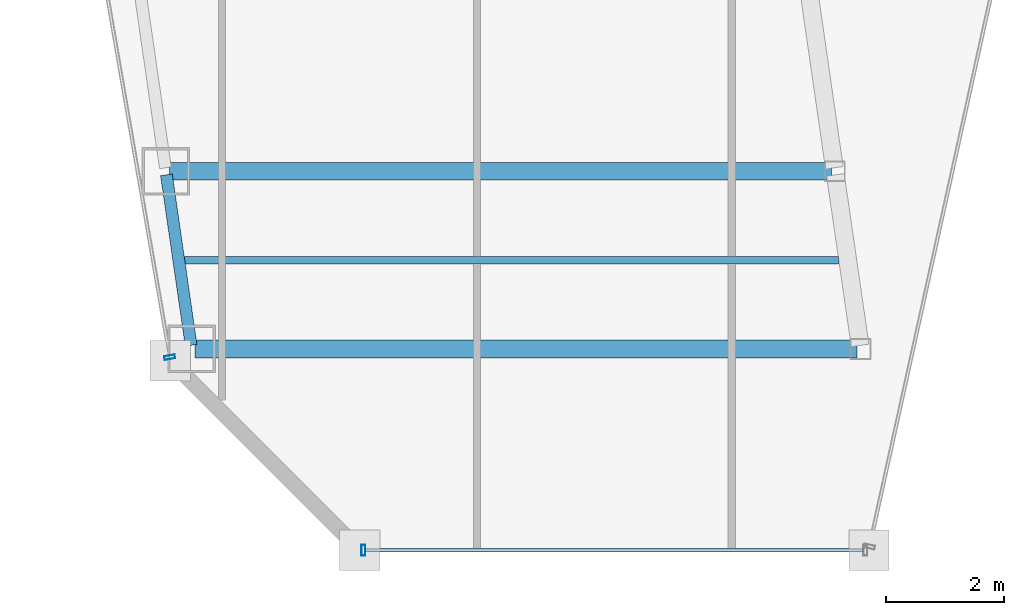
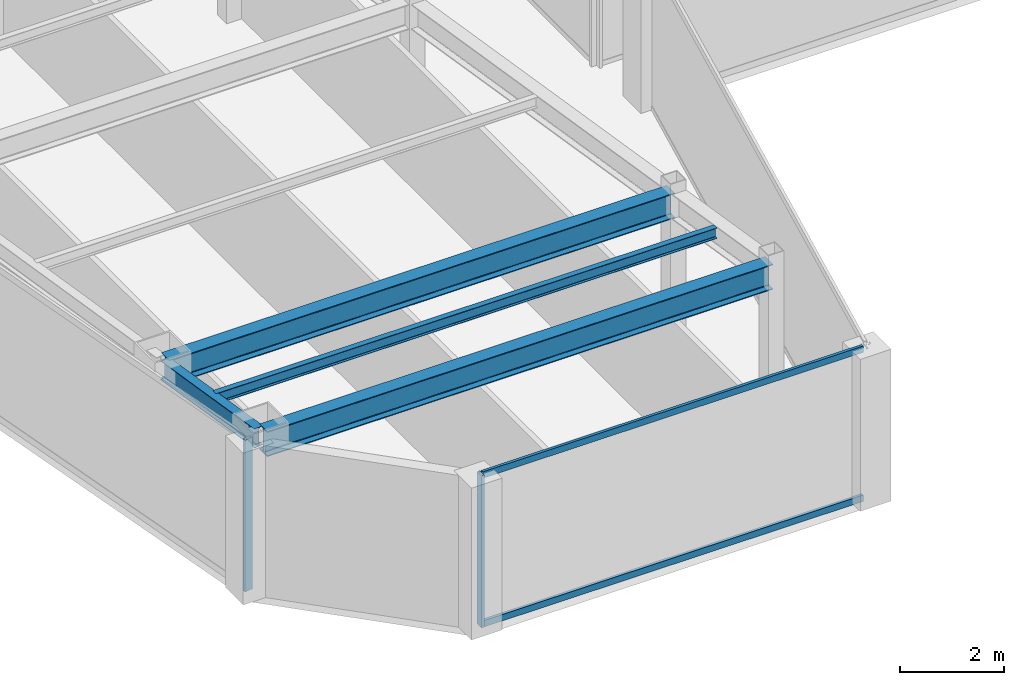
# One storey, part 3 of 33: 4 beams, 4 members, 2 elements without a shape of their own.
"""IFC4 building model written with IfcOpenShell, lengths in metres."""

from ifc_helpers import new_model, si_unit, direction, frame, origin, origin_2d, place, context, subcontext, project, spatial, hollow_rectangle, i_section, extrude, material, material_profile, profile_set, type_object, element, aggregate, save


model = new_model("IFC4")

# Units and contexts
model_context = context("Model", 3, precision=1e-05, world=origin(), true_north=direction((0.0, 1.0)))
body_context = subcontext(model_context, "Body", "Model", "MODEL_VIEW")
ifc_project = project(units=[si_unit("LENGTHUNIT", "METRE"), si_unit("AREAUNIT", "SQUARE_METRE"), si_unit("VOLUMEUNIT", "CUBIC_METRE"), si_unit("PLANEANGLEUNIT", "RADIAN"), si_unit("MASSUNIT", "GRAM", prefix="KILO")], contexts=[model_context])

# Site, building, storey
site_placement = place(None, origin())
site = spatial("IfcSite", under=ifc_project, at=site_placement, CompositionType="ELEMENT")
building_placement = place(site_placement, origin())
building = spatial("IfcBuilding", under=site, at=building_placement, Name="Saevonmaru Cultural Tower", CompositionType="ELEMENT")
storey_placement = place(building_placement, frame((0.0, 0.0, 238.199951171875)))
storey = spatial("IfcBuildingStorey", under=building, at=storey_placement, Name="L55", CompositionType="ELEMENT", Elevation=238.199951171875)

# Beams
ifc_material_1 = material(Name="Steel SM355", Category="steel")
ifc_material_profile_1 = material_profile(ifc_material_1, i_section(OverallWidth=0.300048828125, OverallDepth=0.587890625, WebThickness=0.011962890625, FlangeThickness=0.02001953125, FilletRadius=0.02392578125, at=origin_2d()), Name="H-588x300x12x20")
ifc_profile_set_1 = profile_set([ifc_material_profile_1], Name="Steel SM355")
beam_type_1 = type_object("IfcBeamType", Name="BM-G-H588", PredefinedType="BEAM", material=ifc_profile_set_1)
for number, where, z_axis, x_axis, name in (
    (1, (9.966064453125, 21.0, 3.256103515625), (1.0, 0.0, 0.0), (0.0, 1.0, 0.0), "L55 West Wing Transverse Girder 1"),
    (2, (9.531982421875, 24.0, 3.256103515625), (1.0, 0.0, 0.0), (0.0, 1.0, 0.0), "L55 West Wing Transverse Girder 2"),
):
    element("IfcBeam", number, at=place(storey_placement, frame(where, z_axis=z_axis, x_axis=x_axis)), inside=storey, type_object=beam_type_1, Name=name, PredefinedType="BEAM", context=body_context, shape_type="SweptSolid", body=[
        extrude(i_section(OverallWidth=0.300048828125, OverallDepth=0.587890625, WebThickness=0.011962890625, FlangeThickness=0.02001953125, FilletRadius=0.02392578125, at=origin_2d()), origin(), (0.0, 0.0, 1.0), 11.179931640625),
    ])
ifc_material_profile_2 = material_profile(ifc_material_1, i_section(OverallWidth=0.125, OverallDepth=0.25, WebThickness=0.006103515625, FlangeThickness=0.009033203125, FilletRadius=0.008056640625, at=origin_2d()), Name="H-250x125x6x9")
ifc_profile_set_2 = profile_set([ifc_material_profile_2], Name="Steel SM355")
beam_type_2 = type_object("IfcBeamType", Name="BM-J-H250", PredefinedType="JOIST", material=ifc_profile_set_2)
beam_1_placement = place(storey_placement, frame((9.7490234375, 22.5, 3.425048828125), z_axis=(1.0, 0.0, 0.0), x_axis=(0.0, 1.0, 0.0)))
element("IfcBeam", 3, at=beam_1_placement, inside=storey, type_object=beam_type_2, Name="L55 West Wing Floor Joist 1", PredefinedType="JOIST", context=body_context, shape_type="SweptSolid", body=[
    extrude(i_section(OverallWidth=0.125, OverallDepth=0.25, WebThickness=0.006103515625, FlangeThickness=0.009033203125, FilletRadius=0.008056640625, at=origin_2d()), origin(), (0.0, 0.0, 1.0), 11.08203125),
])
ifc_material_profile_3 = material_profile(ifc_material_1, i_section(OverallWidth=0.199951171875, OverallDepth=0.449951171875, WebThickness=0.009033203125, FlangeThickness=0.013916015625, FilletRadius=0.01806640625, at=origin_2d()), Name="H-450x200x9x14")
ifc_profile_set_3 = profile_set([ifc_material_profile_3], Name="Steel SM355")
beam_type_3 = type_object("IfcBeamType", Name="BM-SP-H450", PredefinedType="SPANDREL", material=ifc_profile_set_3)
beam_2_placement = place(storey_placement, frame((9.8974609375, 21.059326171875, 3.324951171875), z_axis=(-0.143146955239, 0.98970144448, 0.0), x_axis=(-0.98970144448, -0.143146955239, 0.0)))
element("IfcBeam", 4, at=beam_2_placement, inside=storey, type_object=beam_type_3, Name="L55 West Splayed Spandrel 1", PredefinedType="SPANDREL", context=body_context, shape_type="SweptSolid", body=[
    extrude(i_section(OverallWidth=0.199951171875, OverallDepth=0.449951171875, WebThickness=0.009033203125, FlangeThickness=0.013916015625, FilletRadius=0.01806640625, at=origin_2d()), origin(), (0.0, 0.0, 1.0), 2.911376953125),
])

# Curtain wall, member
ifc_material_2 = material(Name="Satin Bronze Anodised Aluminium", Category="aluminium")
curtain_wall_type = type_object("IfcCurtainWallType", Name="CW-TYP-B", PredefinedType="NOTDEFINED", material=ifc_material_2)
curtain_wall_1_placement = place(storey_placement, origin())
curtain_wall_1 = element("IfcCurtainWall", 5, at=curtain_wall_1_placement, inside=storey, type_object=curtain_wall_type, Name="L55 Unitised Curtain Wall E2", PredefinedType="NOTDEFINED")
ifc_material_profile_4 = material_profile(ifc_material_2, hollow_rectangle(XDim=0.06494140625, YDim=0.179931640625, WallThickness=0.00390625, at=origin_2d()), Name="ALU-MULL-180x65x4")
ifc_profile_set_4 = profile_set([ifc_material_profile_4], Name="Satin Bronze Anodised Aluminium")
member_type_1 = type_object("IfcMemberType", Name="ML-CW-180x65", PredefinedType="MULLION", material=ifc_profile_set_4)
member_1_placement = place(storey_placement, frame((12.806640625, 17.60009765625, 0.0), z_axis=(0.0, 0.0, 1.0), x_axis=(1.0, 0.0, 0.0)))
member_1 = element("IfcMember", 6, at=member_1_placement, type_object=member_type_1, Name="CW-TW-L55-E2 mullion 1", PredefinedType="MULLION", context=body_context, shape_type="SweptSolid", body=[
    extrude(hollow_rectangle(XDim=0.06494140625, YDim=0.179931640625, WallThickness=0.00390625, at=origin_2d()), origin(), (0.0, 0.0, 1.0), 3.550048828125),
])

curtain_wall_2_placement = place(storey_placement, origin())
curtain_wall_2 = element("IfcCurtainWall", 7, at=curtain_wall_2_placement, inside=storey, type_object=curtain_wall_type, Name="L55 Unitised Curtain Wall E12", PredefinedType="NOTDEFINED")
member_2_placement = place(storey_placement, frame((9.53662109375, 20.859130859375, 0.0), z_axis=(0.0, 0.0, 1.0), x_axis=(0.170790369887, -0.985307388359, 0.0)))
member_2 = element("IfcMember", 8, at=member_2_placement, type_object=member_type_1, Name="CW-TW-L55-E12 mullion 4", PredefinedType="MULLION", context=body_context, shape_type="SweptSolid", body=[
    extrude(hollow_rectangle(XDim=0.06494140625, YDim=0.179931640625, WallThickness=0.00390625, at=origin_2d()), origin(), (0.0, 0.0, 1.0), 3.550048828125),
])
aggregate(curtain_wall_2, [member_2])

# Member
ifc_material_profile_5 = material_profile(ifc_material_2, hollow_rectangle(XDim=0.06494140625, YDim=0.14990234375, WallThickness=0.00390625, at=origin_2d()), Name="ALU-TRAN-150x65x4")
ifc_profile_set_5 = profile_set([ifc_material_profile_5], Name="Satin Bronze Anodised Aluminium")
member_type_2 = type_object("IfcMemberType", Name="TR-CW-150x65", PredefinedType="USERDEFINED", material=ifc_profile_set_5)
member_3_placement = place(storey_placement, frame((12.839111328125, 17.60009765625, 0.032470703125), z_axis=(1.0, 0.0, 0.0), x_axis=(0.0, 1.0, 0.0)))
member_3 = element("IfcMember", 9, at=member_3_placement, type_object=member_type_2, Name="CW-TW-L55-E2 transom 1.1", ObjectType="TRANSOM", PredefinedType="USERDEFINED", context=body_context, shape_type="SweptSolid", body=[
    extrude(hollow_rectangle(XDim=0.06494140625, YDim=0.14990234375, WallThickness=0.00390625, at=origin_2d()), origin(), (0.0, 0.0, 1.0), 8.4150390625),
])

member_4_placement = place(storey_placement, frame((12.839111328125, 17.60009765625, 3.517578125), z_axis=(1.0, 0.0, 0.0), x_axis=(0.0, 1.0, 0.0)))
member_4 = element("IfcMember", 10, at=member_4_placement, type_object=member_type_2, Name="CW-TW-L55-E2 transom 1.2", ObjectType="TRANSOM", PredefinedType="USERDEFINED", context=body_context, shape_type="SweptSolid", body=[
    extrude(hollow_rectangle(XDim=0.06494140625, YDim=0.14990234375, WallThickness=0.00390625, at=origin_2d()), origin(), (0.0, 0.0, 1.0), 8.4150390625),
])

aggregate(curtain_wall_1, [member_1, member_3, member_4])

save(model, "model.ifc")
